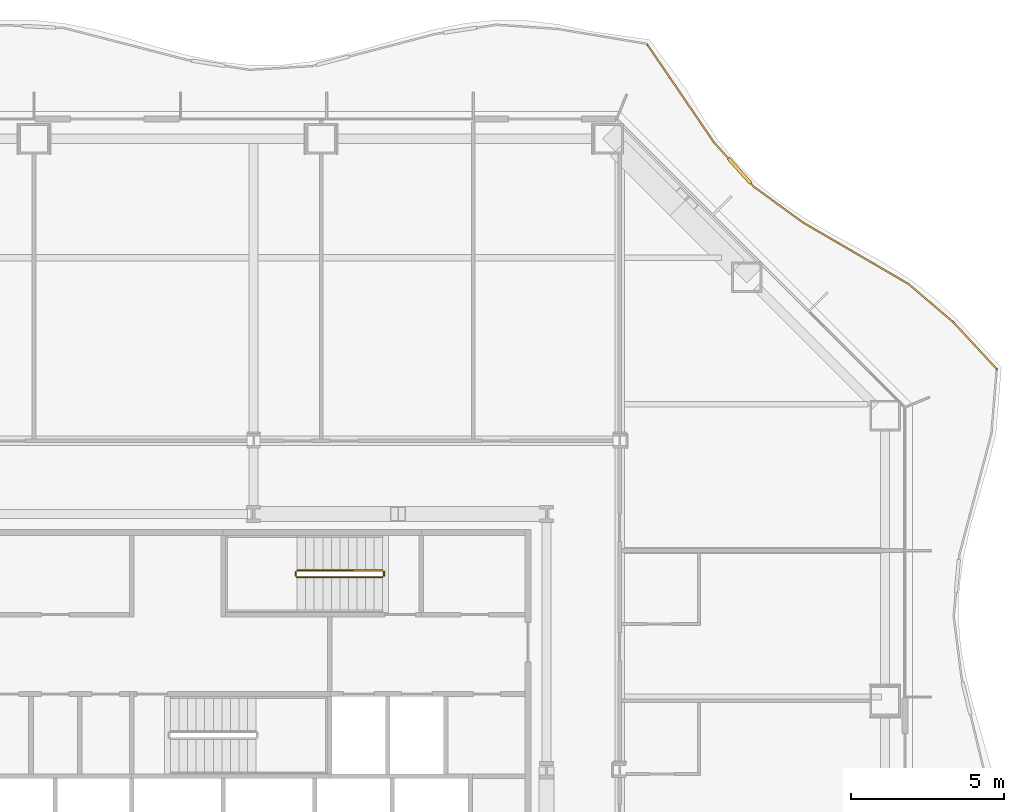
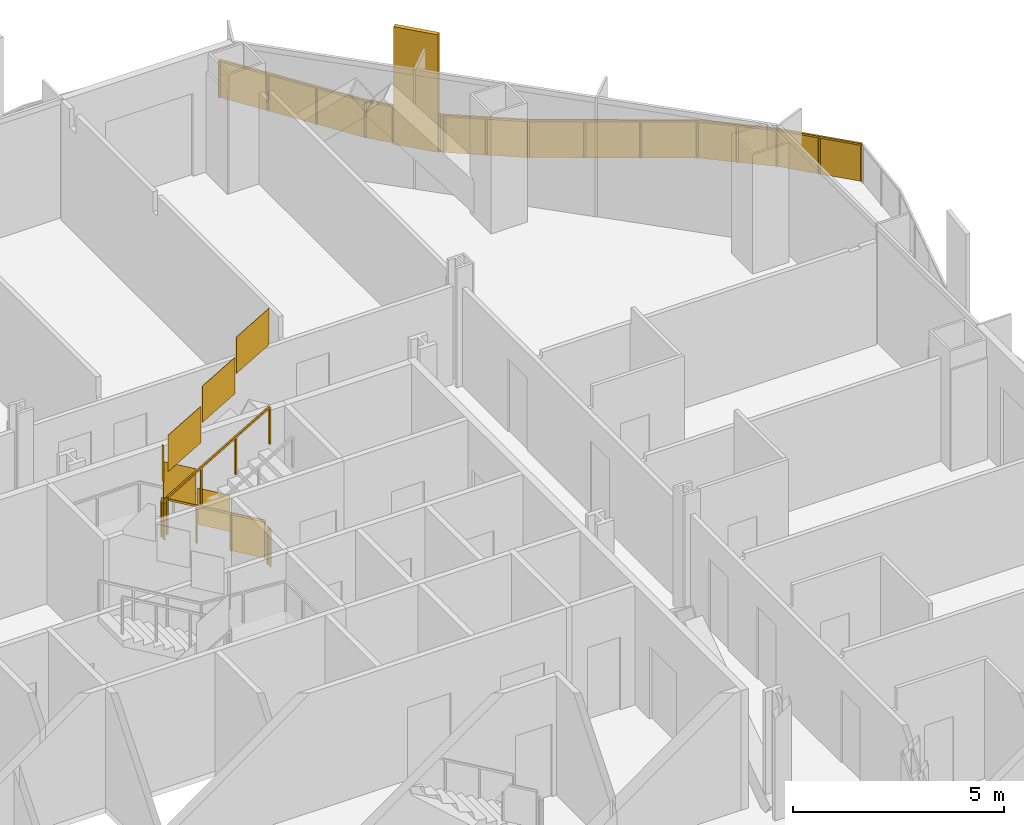
# One storey, part 21 of 21: 3 railings.
"""IFC4 building model written with IfcOpenShell, lengths in metres."""

from ifc_helpers import new_model, si_unit, direction, frame, origin, origin_2d, place, context, subcontext, project, spatial, polyline, rectangle, outline, extrude, material, type_object, element, save


model = new_model("IFC4")

# Units and contexts
model_context = context("Model", 3, precision=1e-05, world=origin(), true_north=direction((0.0, 1.0)))
body_context = subcontext(model_context, "Body", "Model", "MODEL_VIEW")
ifc_project = project(units=[si_unit("LENGTHUNIT", "METRE"), si_unit("AREAUNIT", "SQUARE_METRE"), si_unit("VOLUMEUNIT", "CUBIC_METRE"), si_unit("PLANEANGLEUNIT", "RADIAN"), si_unit("MASSUNIT", "GRAM", prefix="KILO")], contexts=[model_context])

# Site, building, storey
site_placement = place(None, origin())
site = spatial("IfcSite", under=ifc_project, at=site_placement, CompositionType="ELEMENT")
building_placement = place(site_placement, origin())
building = spatial("IfcBuilding", under=site, at=building_placement, Name="Cairn Pilgrim Tower", CompositionType="ELEMENT")
storey_placement = place(building_placement, frame((0.0, 0.0, 47.39990234375)))
storey = spatial("IfcBuildingStorey", under=building, at=storey_placement, Name="L09", CompositionType="ELEMENT", Elevation=47.39990234375)

# Railings
ifc_material_1 = material(Name="Bronze anodised aluminium rail, posts and fin screens with laminated glass infill", Category="aluminium")
railing_type_1 = type_object("IfcRailingType", Name="BALCONY GUARD WITH FIN SCREENS", PredefinedType="GUARDRAIL", material=ifc_material_1)
railing_1_placement = place(storey_placement, frame((31.56005859375, 15.553955078125, 0.0)))
element("IfcRailing", 1, at=railing_1_placement, inside=storey, type_object=railing_type_1, Name="Balcony guard BGF-4 with fin screens", PredefinedType="GUARDRAIL", context=body_context, shape_type="SweptSolid", body=[
    extrude(rectangle(XDim=0.050048828125, YDim=0.050048828125, at=origin_2d()), frame((0.0, 0.0, 1.0751953125), z_axis=(-0.680273033126, 0.732958798571, 0.0), x_axis=(-0.732958798571, -0.680273033126, 0.0)), (0.0, 0.0, 1.0), 2.103759765625),
    extrude(rectangle(XDim=0.050048828125, YDim=0.050048828125, at=origin_2d()), frame((-1.43115234375, 1.5419921875, 1.0751953125), z_axis=(-0.761099325728, 0.648635349311, 0.0), x_axis=(-0.648635349311, -0.761099325728, 0.0)), (0.0, 0.0, 1.0), 1.92333984375),
    extrude(rectangle(XDim=0.050048828125, YDim=0.050048828125, at=origin_2d()), frame((-2.89501953125, 2.78955078125, 1.0751953125), z_axis=(-0.864141164883, 0.503249487983, 0.0), x_axis=(-0.503249487983, -0.864141164883, 0.0)), (0.0, 0.0, 1.0), 4.006103515625),
    extrude(rectangle(XDim=0.050048828125, YDim=0.050048828125, at=origin_2d()), frame((-6.35693359375, 4.8056640625, 1.0751953125), z_axis=(-0.807922201072, 0.589289162479, 0.0), x_axis=(-0.589289162479, -0.807922201072, 0.0)), (0.0, 0.0, 1.0), 1.986572265625),
    extrude(rectangle(XDim=1.10009765625, YDim=0.110107421875, at=origin_2d()), frame((-8.429931640625, 6.496826171875, 0.0), z_axis=(0.0, 0.0, 1.0), x_axis=(-0.668580798059, 0.743639507064, 0.0)), (0.0, 0.0, 1.0), 3.39990234375),
    extrude(rectangle(XDim=0.050048828125, YDim=0.050048828125, at=origin_2d()), frame((-7.9619140625, 5.976318359375, 1.0751953125), z_axis=(-0.668580798059, 0.743639507064, 0.0), x_axis=(-0.743639507064, -0.668580798059, 0.0)), (0.0, 0.0, 1.0), 0.14990234375),
    extrude(rectangle(XDim=0.050048828125, YDim=0.050048828125, at=origin_2d()), frame((-8.797607421875, 6.90576171875, 1.0751953125), z_axis=(-0.668580798059, 0.743639507064, 0.0), x_axis=(-0.743639507064, -0.668580798059, 0.0)), (0.0, 0.0, 1.0), 0.7177734375),
    extrude(rectangle(XDim=0.050048828125, YDim=0.050048828125, at=origin_2d()), frame((-9.277587890625, 7.439697265625, 1.0751953125), z_axis=(-0.563036859296, 0.826431784889, 0.0), x_axis=(-0.826431784889, -0.563036859296, 0.0)), (0.0, 0.0, 1.0), 3.839111328125),
    extrude(rectangle(XDim=0.050048828125, YDim=0.050048828125, at=origin_2d()), origin(), (0.0, 0.0, 1.0), 1.050048828125),
    extrude(rectangle(XDim=0.050048828125, YDim=0.050048828125, at=origin_2d()), frame((-0.715576171875, 0.77099609375, 0.0)), (0.0, 0.0, 1.0), 1.050048828125),
    extrude(rectangle(XDim=0.050048828125, YDim=0.050048828125, at=origin_2d()), frame((-1.43115234375, 1.5419921875, 0.0)), (0.0, 0.0, 1.0), 1.050048828125),
    extrude(rectangle(XDim=0.050048828125, YDim=0.050048828125, at=origin_2d()), frame((-2.1630859375, 2.165771484375, 0.0)), (0.0, 0.0, 1.0), 1.050048828125),
    extrude(rectangle(XDim=0.050048828125, YDim=0.050048828125, at=origin_2d()), frame((-2.89501953125, 2.78955078125, 0.0)), (0.0, 0.0, 1.0), 1.050048828125),
    extrude(rectangle(XDim=0.050048828125, YDim=0.050048828125, at=origin_2d()), frame((-4.049072265625, 3.461669921875, 0.0)), (0.0, 0.0, 1.0), 1.050048828125),
    extrude(rectangle(XDim=0.050048828125, YDim=0.050048828125, at=origin_2d()), frame((-5.202880859375, 4.133544921875, 0.0)), (0.0, 0.0, 1.0), 1.050048828125),
    extrude(rectangle(XDim=0.050048828125, YDim=0.050048828125, at=origin_2d()), frame((-6.35693359375, 4.8056640625, 0.0)), (0.0, 0.0, 1.0), 1.050048828125),
    extrude(rectangle(XDim=0.050048828125, YDim=0.050048828125, at=origin_2d()), frame((-7.159423828125, 5.39111328125, 0.0)), (0.0, 0.0, 1.0), 1.050048828125),
    extrude(rectangle(XDim=0.050048828125, YDim=0.050048828125, at=origin_2d()), frame((-7.9619140625, 5.976318359375, 0.0)), (0.0, 0.0, 1.0), 1.050048828125),
    extrude(rectangle(XDim=0.050048828125, YDim=0.050048828125, at=origin_2d()), frame((-8.04541015625, 6.0693359375, 0.0)), (0.0, 0.0, 1.0), 1.050048828125),
    extrude(rectangle(XDim=0.050048828125, YDim=0.050048828125, at=origin_2d()), frame((-8.814453125, 6.924560546875, 0.0)), (0.0, 0.0, 1.0), 1.050048828125),
    extrude(rectangle(XDim=0.050048828125, YDim=0.050048828125, at=origin_2d()), frame((-9.277587890625, 7.439697265625, 0.0)), (0.0, 0.0, 1.0), 1.050048828125),
    extrude(rectangle(XDim=0.050048828125, YDim=0.050048828125, at=origin_2d()), frame((-9.998046875, 8.497314453125, 0.0)), (0.0, 0.0, 1.0), 1.050048828125),
    extrude(rectangle(XDim=0.050048828125, YDim=0.050048828125, at=origin_2d()), frame((-10.71875, 9.554931640625, 0.0)), (0.0, 0.0, 1.0), 1.050048828125),
    extrude(rectangle(XDim=0.050048828125, YDim=0.050048828125, at=origin_2d()), frame((-11.439208984375, 10.612548828125, 0.0)), (0.0, 0.0, 1.0), 1.050048828125),
    extrude(outline(polyline([(0.02490234375, 0.0), (1.02685546875, 0.0), (1.02685546875, 1.050048828125), (0.02490234375, 1.050048828125), (0.02490234375, 0.0)])), frame((-0.00439453125, -0.004150390625, 0.0), z_axis=(0.732958798571, 0.680273033126, 0.0), x_axis=(-0.680273033126, 0.732958798571, 0.0)), (0.0, 0.0, 1.0), 0.011962890625),
    extrude(outline(polyline([(0.02490234375, 0.0), (1.02685546875, 0.0), (1.02685546875, 1.050048828125), (0.02490234375, 1.050048828125), (0.02490234375, 0.0)])), frame((-0.719970703125, 0.766845703125, 0.0), z_axis=(0.732958798571, 0.680273033126, 0.0), x_axis=(-0.680273033126, 0.732958798571, 0.0)), (0.0, 0.0, 1.0), 0.011962890625),
    extrude(outline(polyline([(0.02490234375, 0.0), (0.936767578125, 0.0), (0.936767578125, 1.050048828125), (0.02490234375, 1.050048828125), (0.02490234375, 0.0)])), frame((-1.43505859375, 1.537353515625, 0.0), z_axis=(0.648635349311, 0.761099325728, 0.0), x_axis=(-0.761099325728, 0.648635349311, 0.0)), (0.0, 0.0, 1.0), 0.011962890625),
    extrude(outline(polyline([(0.02490234375, 0.0), (0.936767578125, 0.0), (0.936767578125, 1.050048828125), (0.02490234375, 1.050048828125), (0.02490234375, 0.0)])), frame((-2.1669921875, 2.1611328125, 0.0), z_axis=(0.648635349311, 0.761099325728, 0.0), x_axis=(-0.761099325728, 0.648635349311, 0.0)), (0.0, 0.0, 1.0), 0.011962890625),
    extrude(outline(polyline([(0.02490234375, 0.0), (1.310302734375, 0.0), (1.310302734375, 1.050048828125), (0.02490234375, 1.050048828125), (0.02490234375, 0.0)])), frame((-2.89794921875, 2.784423828125, 0.0), z_axis=(0.503249487983, 0.864141164883, 0.0), x_axis=(-0.864141164883, 0.503249487983, 0.0)), (0.0, 0.0, 1.0), 0.011962890625),
    extrude(outline(polyline([(0.02490234375, 0.0), (1.310302734375, 0.0), (1.310302734375, 1.050048828125), (0.02490234375, 1.050048828125), (0.02490234375, 0.0)])), frame((-4.052001953125, 3.456298828125, 0.0), z_axis=(0.503249487983, 0.864141164883, 0.0), x_axis=(-0.864141164883, 0.503249487983, 0.0)), (0.0, 0.0, 1.0), 0.011962890625),
    extrude(outline(polyline([(0.02490234375, 0.0), (1.310302734375, 0.0), (1.310302734375, 1.050048828125), (0.02490234375, 1.050048828125), (0.02490234375, 0.0)])), frame((-5.2060546875, 4.12841796875, 0.0), z_axis=(0.503249487983, 0.864141164883, 0.0), x_axis=(-0.864141164883, 0.503249487983, 0.0)), (0.0, 0.0, 1.0), 0.011962890625),
    extrude(outline(polyline([(0.02490234375, 0.0), (0.96826171875, 0.0), (0.96826171875, 1.050048828125), (0.02490234375, 1.050048828125), (0.02490234375, 0.0)])), frame((-6.3603515625, 4.80078125, 0.0), z_axis=(0.589289162479, 0.807922201072, 0.0), x_axis=(-0.807922201072, 0.589289162479, 0.0)), (0.0, 0.0, 1.0), 0.011962890625),
    extrude(outline(polyline([(0.02490234375, 0.0), (0.96826171875, 0.0), (0.96826171875, 1.050048828125), (0.02490234375, 1.050048828125), (0.02490234375, 0.0)])), frame((-7.162841796875, 5.38623046875, 0.0), z_axis=(0.589289162479, 0.807922201072, 0.0), x_axis=(-0.807922201072, 0.589289162479, 0.0)), (0.0, 0.0, 1.0), 0.011962890625),
    extrude(outline(polyline([(0.02490234375, 0.0), (0.099853515625, 0.0), (0.099853515625, 1.050048828125), (0.02490234375, 1.050048828125), (0.02490234375, 0.0)])), frame((-7.96630859375, 5.972412109375, 0.0), z_axis=(0.743639507064, 0.668580798059, 0.0), x_axis=(-0.668580798059, 0.743639507064, 0.0)), (0.0, 0.0, 1.0), 0.011962890625),
    extrude(outline(polyline([(0.02490234375, 0.0), (0.667724609375, 0.0), (0.667724609375, 1.050048828125), (0.02490234375, 1.050048828125), (0.02490234375, 0.0)])), frame((-8.81884765625, 6.92041015625, 0.0), z_axis=(0.743639507064, 0.668580798059, 0.0), x_axis=(-0.668580798059, 0.743639507064, 0.0)), (0.0, 0.0, 1.0), 0.011962890625),
    extrude(outline(polyline([(0.02490234375, 0.0), (1.254638671875, 0.0), (1.254638671875, 1.050048828125), (0.02490234375, 1.050048828125), (0.02490234375, 0.0)])), frame((-9.282470703125, 7.436279296875, 0.0), z_axis=(0.826431784889, 0.563036859296, 0.0), x_axis=(-0.563036859296, 0.826431784889, 0.0)), (0.0, 0.0, 1.0), 0.011962890625),
    extrude(outline(polyline([(0.02490234375, 0.0), (1.254638671875, 0.0), (1.254638671875, 1.050048828125), (0.02490234375, 1.050048828125), (0.02490234375, 0.0)])), frame((-10.003173828125, 8.493896484375, 0.0), z_axis=(0.826431784889, 0.563036859296, 0.0), x_axis=(-0.563036859296, 0.826431784889, 0.0)), (0.0, 0.0, 1.0), 0.011962890625),
    extrude(outline(polyline([(0.02490234375, 0.0), (1.254638671875, 0.0), (1.254638671875, 1.050048828125), (0.02490234375, 1.050048828125), (0.02490234375, 0.0)])), frame((-10.7236328125, 9.551513671875, 0.0), z_axis=(0.826431784889, 0.563036859296, 0.0), x_axis=(-0.563036859296, 0.826431784889, 0.0)), (0.0, 0.0, 1.0), 0.011962890625),
])
ifc_material_2 = material(Name="Painted steel", Category="steel")
railing_type_2 = type_object("IfcRailingType", Name="STAIR GUARD 1100", PredefinedType="GUARDRAIL", material=ifc_material_2)
railing_2_placement = place(storey_placement, frame((11.425048828125, 8.949951171875, 0.163818359375)))
element("IfcRailing", 2, at=railing_2_placement, inside=storey, type_object=railing_type_2, Name="L09 ST-C stair guard 1", PredefinedType="GUARDRAIL", context=body_context, shape_type="SweptSolid", body=[
    extrude(rectangle(XDim=0.048095703125, YDim=0.048095703125, at=origin_2d()), frame((0.0, 0.0, 1.076171875), z_axis=(-0.863393664356, 0.0, 0.504530851732), x_axis=(0.0, -1.0, 0.0)), (0.0, 0.0, 1.0), 3.2431640625),
    extrude(rectangle(XDim=0.048095703125, YDim=0.048095703125, at=origin_2d()), frame((-2.800048828125, 0.0, 2.71240234375), z_axis=(-0.707106781187, -0.707106781187, 0.0), x_axis=(0.707106781187, -0.707106781187, 0.0)), (0.0, 0.0, 1.0), 0.07080078125),
    extrude(rectangle(XDim=0.048095703125, YDim=0.048095703125, at=origin_2d()), frame((-2.85009765625, -0.050048828125, 2.71240234375), z_axis=(0.0, -1.0, 0.0), x_axis=(1.0, 0.0, 0.0)), (0.0, 0.0, 1.0), 0.125),
    extrude(rectangle(XDim=0.048095703125, YDim=0.048095703125, at=origin_2d()), frame((-2.85009765625, -0.175048828125, 2.71240234375), z_axis=(0.280916556609, -0.279546231943, 0.91811752648), x_axis=(0.705375805398, 0.708833529934, 0.0)), (0.0, 0.0, 1.0), 0.17822265625),
    extrude(rectangle(XDim=0.048095703125, YDim=0.048095703125, at=origin_2d()), frame((-2.800048828125, -0.224853515625, 2.8759765625), z_axis=(0.863360870873, 0.0, 0.504586966384), x_axis=(0.0, 1.0, 0.0)), (0.0, 0.0, 1.0), 3.2431640625),
    extrude(rectangle(XDim=0.0419921875, YDim=0.0419921875, at=origin_2d()), origin(), (0.0, 0.0, 1.0), 1.052001953125),
    extrude(rectangle(XDim=0.0419921875, YDim=0.0419921875, at=origin_2d()), frame((-0.933349609375, 0.0, 0.54541015625)), (0.0, 0.0, 1.0), 1.052001953125),
    extrude(rectangle(XDim=0.0419921875, YDim=0.0419921875, at=origin_2d()), frame((-1.86669921875, 0.0, 1.0908203125)), (0.0, 0.0, 1.0), 1.052001953125),
    extrude(rectangle(XDim=0.0419921875, YDim=0.0419921875, at=origin_2d()), frame((-2.800048828125, 0.0, 1.63623046875)), (0.0, 0.0, 1.0), 1.052001953125),
    extrude(rectangle(XDim=0.0419921875, YDim=0.0419921875, at=origin_2d()), frame((-2.85009765625, -0.050048828125, 1.63623046875)), (0.0, 0.0, 1.0), 1.052001953125),
    extrude(rectangle(XDim=0.0419921875, YDim=0.0419921875, at=origin_2d()), frame((-2.85009765625, -0.175048828125, 1.63623046875)), (0.0, 0.0, 1.0), 1.052001953125),
    extrude(rectangle(XDim=0.0419921875, YDim=0.0419921875, at=origin_2d()), frame((-2.800048828125, -0.224853515625, 1.7998046875)), (0.0, 0.0, 1.0), 1.052001953125),
    extrude(rectangle(XDim=0.0419921875, YDim=0.0419921875, at=origin_2d()), frame((-1.86669921875, -0.224853515625, 2.34521484375)), (0.0, 0.0, 1.0), 1.052001953125),
    extrude(rectangle(XDim=0.0419921875, YDim=0.0419921875, at=origin_2d()), frame((-0.933349609375, -0.224853515625, 2.890869140625)), (0.0, 0.0, 1.0), 1.052001953125),
    extrude(rectangle(XDim=0.0419921875, YDim=0.0419921875, at=origin_2d()), frame((0.0, -0.224853515625, 3.436279296875)), (0.0, 0.0, 1.0), 1.052001953125),
    extrude(outline(polyline([(0.02099609375, 0.01220703125), (0.912353515625, 0.533203125), (0.912353515625, 1.585205078125), (0.02099609375, 1.064208984375), (0.02099609375, 0.01220703125)])), frame((0.0, -0.005859375, 0.0), z_axis=(0.0, 1.0, 0.0), x_axis=(-1.0, 0.0, 0.0)), (0.0, 0.0, 1.0), 0.011962890625),
    extrude(outline(polyline([(0.02099609375, 0.5576171875), (0.912353515625, 1.07861328125), (0.912353515625, 2.130615234375), (0.02099609375, 1.609619140625), (0.02099609375, 0.5576171875)])), frame((-0.933349609375, -0.005859375, 0.54541015625), z_axis=(0.0, 1.0, 0.0), x_axis=(-1.0, 0.0, 0.0)), (0.0, 0.0, 1.0), 0.011962890625),
    extrude(outline(polyline([(0.02099609375, 1.10302734375), (0.912353515625, 1.6240234375), (0.912353515625, 2.676025390625), (0.02099609375, 2.155029296875), (0.02099609375, 1.10302734375)])), frame((-1.86669921875, -0.005859375, 1.0908203125), z_axis=(0.0, 1.0, 0.0), x_axis=(-1.0, 0.0, 0.0)), (0.0, 0.0, 1.0), 0.011962890625),
    extrude(outline(polyline([(0.02099609375, 1.63623046875), (0.10400390625, 1.63623046875), (0.10400390625, 2.688232421875), (0.02099609375, 2.688232421875), (0.02099609375, 1.63623046875)])), frame((-2.84423828125, -0.050048828125, 1.63623046875), z_axis=(-1.0, 0.0, 0.0), x_axis=(0.0, -1.0, 0.0)), (0.0, 0.0, 1.0), 0.011962890625),
    extrude(outline(polyline([(0.02099609375, 1.81201171875), (0.912353515625, 2.3330078125), (0.912353515625, 3.385009765625), (0.02099609375, 2.864013671875), (0.02099609375, 1.81201171875)])), frame((-2.800048828125, -0.21875, 1.7998046875), z_axis=(0.0, -1.0, 0.0), x_axis=(1.0, 0.0, 0.0)), (0.0, 0.0, 1.0), 0.011962890625),
    extrude(outline(polyline([(0.02099609375, 2.357666015625), (0.912353515625, 2.87841796875), (0.912353515625, 3.930419921875), (0.02099609375, 3.40966796875), (0.02099609375, 2.357666015625)])), frame((-1.86669921875, -0.21875, 2.34521484375), z_axis=(0.0, -1.0, 0.0), x_axis=(1.0, 0.0, 0.0)), (0.0, 0.0, 1.0), 0.011962890625),
    extrude(outline(polyline([(0.02099609375, 2.903076171875), (0.912353515625, 3.424072265625), (0.912353515625, 4.47607421875), (0.02099609375, 3.955078125), (0.02099609375, 2.903076171875)])), frame((-0.933349609375, -0.21875, 2.890869140625), z_axis=(0.0, -1.0, 0.0), x_axis=(1.0, 0.0, 0.0)), (0.0, 0.0, 1.0), 0.011962890625),
])
railing_3_placement = place(storey_placement, frame((11.47509765625, 8.89990234375, 0.0)))
element("IfcRailing", 3, at=railing_3_placement, inside=storey, type_object=railing_type_2, Name="L09 ST-C stair guard 2", PredefinedType="GUARDRAIL", context=body_context, shape_type="SweptSolid", body=[
    extrude(rectangle(XDim=0.048095703125, YDim=0.048095703125, at=origin_2d()), frame((0.0, 0.0, 1.076171875), z_axis=(0.0, -1.0, 0.0), x_axis=(1.0, 0.0, 0.0)), (0.0, 0.0, 1.0), 0.125),
    extrude(rectangle(XDim=0.0419921875, YDim=0.0419921875, at=origin_2d()), origin(), (0.0, 0.0, 1.0), 1.052001953125),
    extrude(rectangle(XDim=0.0419921875, YDim=0.0419921875, at=origin_2d()), frame((0.0, -0.125, 0.0)), (0.0, 0.0, 1.0), 1.052001953125),
    extrude(outline(polyline([(0.02099609375, 0.0), (0.10400390625, 0.0), (0.10400390625, 1.052001953125), (0.02099609375, 1.052001953125), (0.02099609375, 0.0)])), frame((0.005859375, 0.0, 0.0), z_axis=(-1.0, 0.0, 0.0), x_axis=(0.0, -1.0, 0.0)), (0.0, 0.0, 1.0), 0.011962890625),
])

save(model, "model.ifc")
